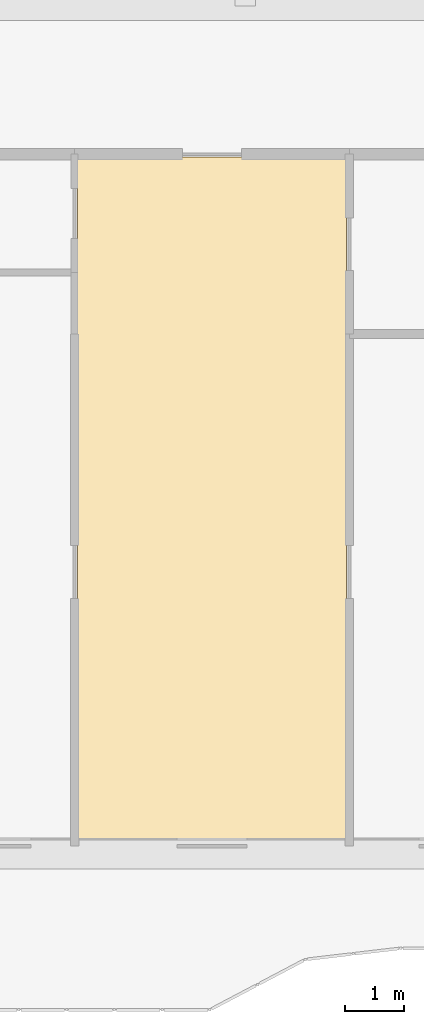
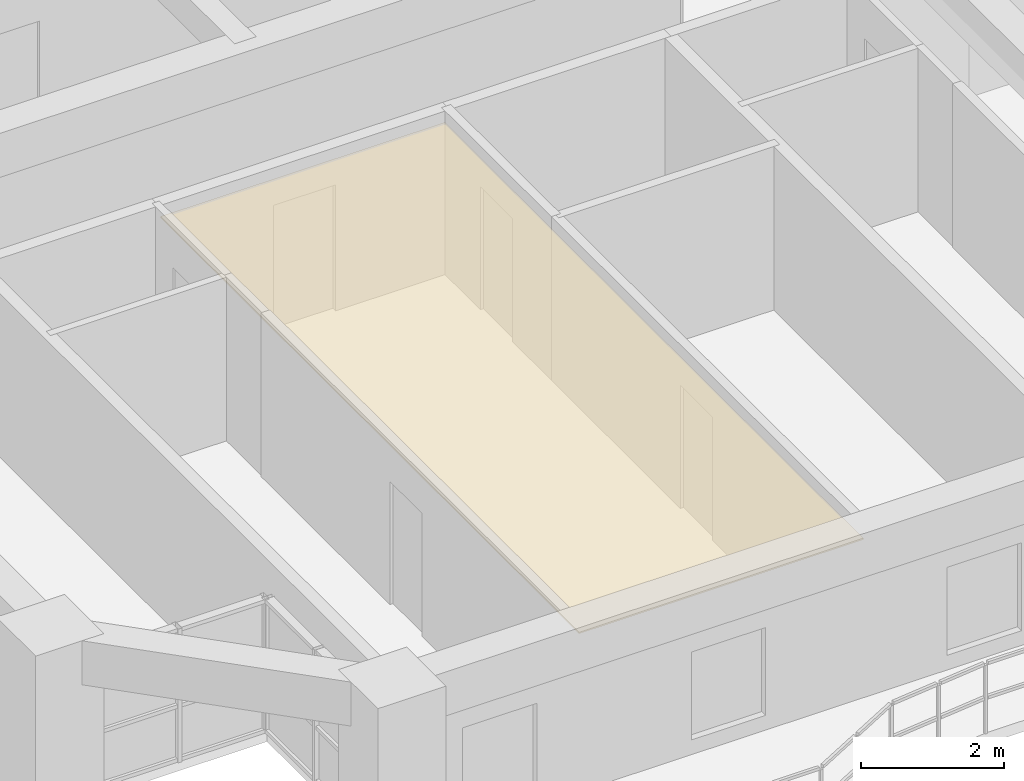
# One storey, part 22 of 27: 1 covering.
"""IFC4 building model written with IfcOpenShell, lengths in metres."""

from ifc_helpers import new_model, si_unit, direction, frame, origin, place, context, subcontext, project, spatial, polyline, outline, extrude, material, layer, layer_set, type_object, element, save


model = new_model("IFC4")

# Units and contexts
model_context = context("Model", 3, precision=1e-05, world=origin(), true_north=direction((0.0, 1.0)))
body_context = subcontext(model_context, "Body", "Model", "MODEL_VIEW")
ifc_project = project(units=[si_unit("LENGTHUNIT", "METRE"), si_unit("AREAUNIT", "SQUARE_METRE"), si_unit("VOLUMEUNIT", "CUBIC_METRE"), si_unit("PLANEANGLEUNIT", "RADIAN"), si_unit("MASSUNIT", "GRAM", prefix="KILO")], contexts=[model_context])

# Site, building, storey
site_placement = place(None, origin())
site = spatial("IfcSite", under=ifc_project, at=site_placement, CompositionType="ELEMENT")
building_placement = place(site_placement, origin())
building = spatial("IfcBuilding", under=site, at=building_placement, Name="Saelheon Loggia Tower", CompositionType="ELEMENT")
storey_placement = place(building_placement, frame((0.0, 0.0, 43.39990234375)))
storey = spatial("IfcBuildingStorey", under=building, at=storey_placement, Name="L13", CompositionType="ELEMENT", Elevation=43.39990234375)

# Covering
ifc_material = material(Name="Mineral-Fibre Acoustic Ceiling Board", Category="gypsum")
ifc_layer = layer(ifc_material, 0.02490234375)
ifc_layer_set = layer_set([ifc_layer], Name="Mineral-Fibre Acoustic Ceiling Board")
covering_type = type_object("IfcCoveringType", Name="Cov_Ceiling_Acoustic", PredefinedType="CEILING", material=ifc_layer_set)
covering_placement = place(storey_placement, frame((0.0, 0.0, 2.53515625)))
element("IfcCovering", 1, at=covering_placement, inside=storey, type_object=covering_type, Name="L13 Acoustic Suspended Ceiling", PredefinedType="CEILING", context=body_context, shape_type="SweptSolid", body=[
    extrude(outline(polyline([(18.631591796875, 3.199951171875), (23.21875, 3.199951171875), (23.21875, 14.89990234375), (18.631591796875, 14.89990234375), (18.631591796875, 3.199951171875)])), origin(), (0.0, 0.0, 1.0), 0.02490234375),
])

save(model, "model.ifc")
